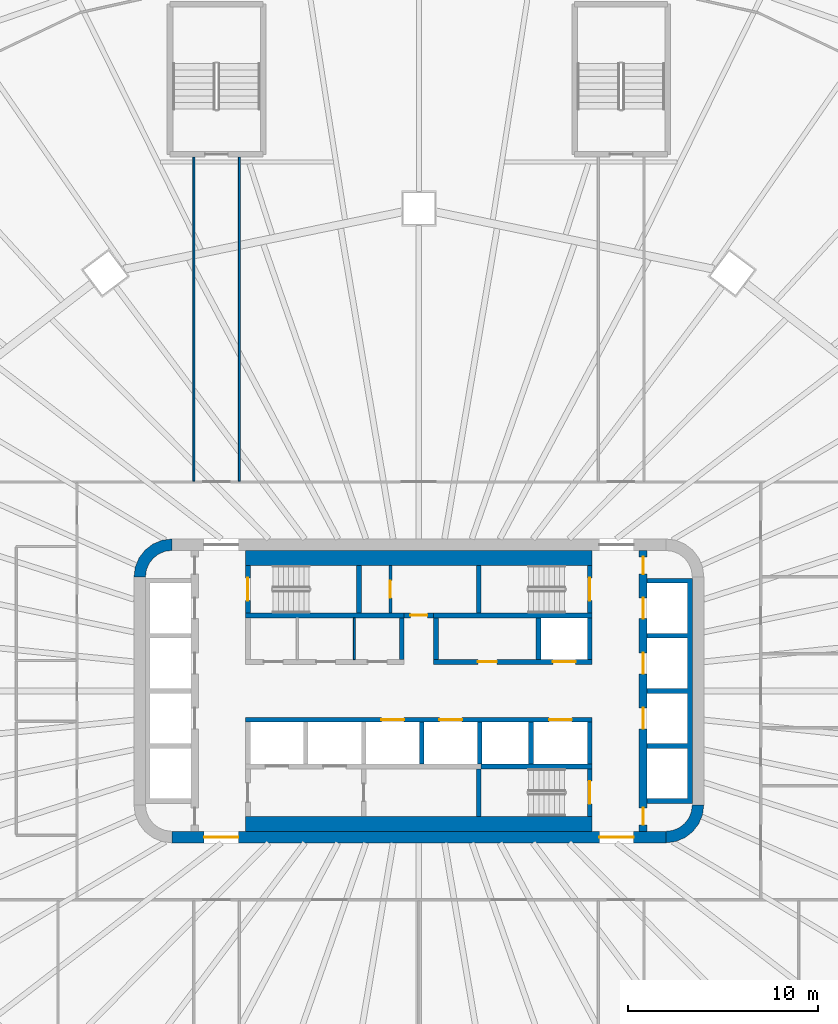
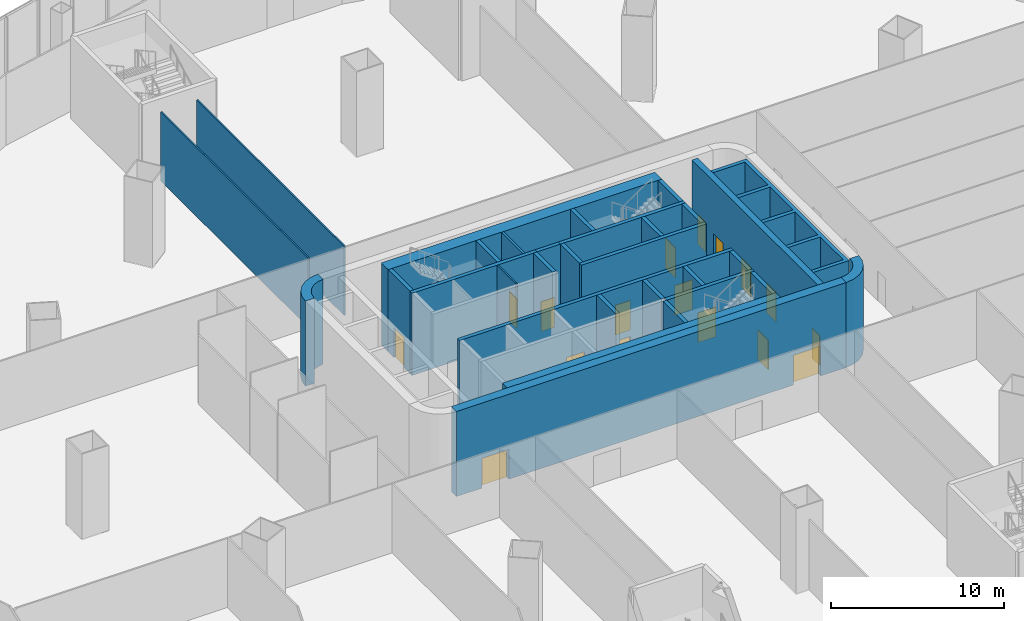
# One storey, part 23 of 37: 31 walls, 17 doors, 17 openings.
"""IFC4 building model written with IfcOpenShell, lengths in metres."""

from ifc_helpers import new_model, si_unit, direction, frame, frame_2d, origin, place, context, subcontext, project, spatial, polyline, rectangle, outline, extrude, material, layer, layer_set, type_object, element, fill, save


model = new_model("IFC4")

# Units and contexts
model_context = context("Model", 3, precision=1e-05, world=origin(), true_north=direction((0.0, 1.0)))
body_context = subcontext(model_context, "Body", "Model", "MODEL_VIEW")
ifc_project = project(units=[si_unit("LENGTHUNIT", "METRE"), si_unit("AREAUNIT", "SQUARE_METRE"), si_unit("VOLUMEUNIT", "CUBIC_METRE"), si_unit("PLANEANGLEUNIT", "RADIAN"), si_unit("MASSUNIT", "GRAM", prefix="KILO")], contexts=[model_context])

# Site, building, storey
site_placement = place(None, origin())
site = spatial("IfcSite", under=ifc_project, at=site_placement, CompositionType="ELEMENT")
building_placement = place(site_placement, origin())
building = spatial("IfcBuilding", under=site, at=building_placement, Name="Sahrelin Media Tower", CompositionType="ELEMENT")
storey_placement = place(building_placement, frame((0.0, 0.0, 31.39990234375)))
storey = spatial("IfcBuildingStorey", under=building, at=storey_placement, Name="L04", CompositionType="ELEMENT", Elevation=31.39990234375)

# Wall, openings, doors
ifc_material_1 = material(Name="Concrete C60/75", Category="concrete")
ifc_layer_1 = layer(ifc_material_1, 0.60009765625)
ifc_layer_set_1 = layer_set([ifc_layer_1], Name="Core wall 600")
wall_type_1 = type_object("IfcWallType", Name="Core wall 600", PredefinedType="SHEAR", material=ifc_layer_set_1)
wall_1_placement = place(storey_placement, frame((-13.0, -7.699951171875, 0.0), z_axis=(0.0, 0.0, 1.0), x_axis=(1.0, 0.0, 0.0)))
wall_1 = element("IfcWall", 1, at=wall_1_placement, inside=storey, type_object=wall_type_1, Name="Core wall S L04", PredefinedType="SHEAR", context=body_context, shape_type="SweptSolid", body=[
    extrude(rectangle(XDim=26.0, YDim=0.60009765625, at=frame_2d((13.0, 0.0))), origin(), (0.0, 0.0, 1.0), 6.0),
])
opening_1_placement = place(wall_1_placement, frame((1.699951171875, 0.0, 0.0)))
opening_1 = element("IfcOpeningElement", 2, at=opening_1_placement, cuts=wall_1, Name="Opening L04-D18", PredefinedType="OPENING", context=body_context, shape_type="SweptSolid", body=[
    extrude(rectangle(XDim=1.800048828125, YDim=2.10009765625, at=frame_2d((0.89990234375, 1.050048828125))), frame((0.0, 0.300048828125, 0.0), z_axis=(0.0, -1.0, 0.0), x_axis=(1.0, 0.0, 0.0)), (0.0, 0.0, 1.0), 0.60009765625),
])
opening_2_placement = place(wall_1_placement, frame((22.5, 0.0, 0.0)))
opening_2 = element("IfcOpeningElement", 3, at=opening_2_placement, cuts=wall_1, Name="Opening L04-D19", PredefinedType="OPENING", context=body_context, shape_type="SweptSolid", body=[
    extrude(rectangle(XDim=1.800048828125, YDim=2.10009765625, at=frame_2d((0.89990234375, 1.050048828125))), frame((0.0, 0.300048828125, 0.0), z_axis=(0.0, -1.0, 0.0), x_axis=(1.0, 0.0, 0.0)), (0.0, 0.0, 1.0), 0.60009765625),
])
ifc_material_2 = material(Name="Steel fire door leaf", Category="steel")
door_type_1 = type_object("IfcDoorType", Name="Lobby double door 1800 x 2100 EI 60", OperationType="DOUBLE_DOOR_SINGLE_SWING", PredefinedType="DOOR", material=ifc_material_2)
door_1_placement = place(opening_1_placement, origin())
door_1 = element("IfcDoor", 4, at=door_1_placement, inside=storey, type_object=door_type_1, Name="Lobby door", OperationType="DOUBLE_DOOR_SINGLE_SWING", OverallHeight=2.10009765625, OverallWidth=1.800048828125, PredefinedType="DOOR", context=body_context, shape_type="SweptSolid", body=[
    extrude(rectangle(XDim=1.800048828125, YDim=2.10009765625, at=frame_2d((0.89990234375, 1.050048828125))), frame((0.0, 0.02490234375, 0.0), z_axis=(0.0, -1.0, 0.0), x_axis=(1.0, 0.0, 0.0)), (0.0, 0.0, 1.0), 0.050048828125),
])
fill(opening_1, door_1)
door_2_placement = place(opening_2_placement, origin())
door_2 = element("IfcDoor", 5, at=door_2_placement, inside=storey, type_object=door_type_1, Name="Lobby door", OperationType="DOUBLE_DOOR_SINGLE_SWING", OverallHeight=2.10009765625, OverallWidth=1.800048828125, PredefinedType="DOOR", context=body_context, shape_type="SweptSolid", body=[
    extrude(rectangle(XDim=1.800048828125, YDim=2.10009765625, at=frame_2d((0.89990234375, 1.050048828125))), frame((0.0, 0.02490234375, 0.0), z_axis=(0.0, -1.0, 0.0), x_axis=(1.0, 0.0, 0.0)), (0.0, 0.0, 1.0), 0.050048828125),
])
fill(opening_2, door_2)

# Walls
placement = place(storey_placement, origin())
element("IfcWall", 6, at=placement, inside=storey, type_object=wall_type_1, Name="Core wall corner NW L04", PredefinedType="SHEAR", context=body_context, shape_type="SweptSolid", body=[
    extrude(outline(polyline([(-15.0, 6.0), (-14.394775390625, 6.0), (-14.347412109375, 6.361083984375), (-14.2080078125, 6.697509765625), (-13.986328125, 6.986328125), (-13.697509765625, 7.2080078125), (-13.361083984375, 7.347412109375), (-13.0, 7.394775390625), (-13.0, 8.0), (-13.517578125, 7.931884765625), (-14.0, 7.732177734375), (-14.414306640625, 7.414306640625), (-14.732177734375, 7.0), (-14.931884765625, 6.517578125), (-15.0, 6.0)])), origin(), (0.0, 0.0, 1.0), 6.0),
])
element("IfcWall", 7, at=placement, inside=storey, type_object=wall_type_1, Name="Core wall corner SE L04", PredefinedType="SHEAR", context=body_context, shape_type="SweptSolid", body=[
    extrude(outline(polyline([(15.0, -6.0), (14.394775390625, -6.0), (14.347412109375, -6.361083984375), (14.2080078125, -6.697509765625), (13.986328125, -6.986328125), (13.697509765625, -7.2080078125), (13.361083984375, -7.347412109375), (13.0, -7.394775390625), (13.0, -8.0), (13.517578125, -7.931884765625), (14.0, -7.732177734375), (14.414306640625, -7.414306640625), (14.732177734375, -7.0), (14.931884765625, -6.517578125), (15.0, -6.0)])), origin(), (0.0, 0.0, 1.0), 6.0),
])

# Wall, opening, door
ifc_material_3 = material(Name="Fire-rated gypsum board partition")
ifc_layer_2 = layer(ifc_material_3, 0.25)
ifc_layer_set_2 = layer_set([ifc_layer_2], Name="Fire-rated lobby wall 250")
wall_type_2 = type_object("IfcWallType", Name="Fire-rated lobby wall 250", PredefinedType="PARTITIONING", material=ifc_layer_set_2)
wall_4_placement = place(storey_placement, frame((-0.77490234375, 3.97509765625, 0.0), z_axis=(0.0, 0.0, 1.0), x_axis=(1.0, 0.0, 0.0)))
wall_4 = element("IfcWall", 8, at=wall_4_placement, inside=storey, type_object=wall_type_2, Name="Core lobby wall", PredefinedType="PARTITIONING", context=body_context, shape_type="SweptSolid", body=[
    extrude(rectangle(XDim=1.5498046875, YDim=0.25, at=frame_2d((0.77490234375, 0.0))), origin(), (0.0, 0.0, 1.0), 5.800048828125),
])
opening_3_placement = place(wall_4_placement, frame((0.324951171875, 0.0, 0.0)))
opening_3 = element("IfcOpeningElement", 9, at=opening_3_placement, cuts=wall_4, Name="Opening L04-D06", PredefinedType="OPENING", context=body_context, shape_type="SweptSolid", body=[
    extrude(rectangle(XDim=0.89990234375, YDim=2.10009765625, at=frame_2d((0.449951171875, 1.050048828125))), frame((0.0, 0.125, 0.0), z_axis=(0.0, -1.0, 0.0), x_axis=(1.0, 0.0, 0.0)), (0.0, 0.0, 1.0), 0.25),
])
door_type_2 = type_object("IfcDoorType", Name="Riser door 900 x 2100 EI 120", OperationType="NOTDEFINED", PredefinedType="DOOR", material=ifc_material_2)
door_3_placement = place(opening_3_placement, origin())
door_3 = element("IfcDoor", 10, at=door_3_placement, inside=storey, type_object=door_type_2, Name="Core room door", OperationType="SINGLE_SWING_LEFT", OverallHeight=2.10009765625, OverallWidth=0.89990234375, PredefinedType="DOOR", context=body_context, shape_type="SweptSolid", body=[
    extrude(rectangle(XDim=0.89990234375, YDim=2.10009765625, at=frame_2d((0.449951171875, 1.050048828125))), frame((0.0, 0.02490234375, 0.0), z_axis=(0.0, -1.0, 0.0), x_axis=(1.0, 0.0, 0.0)), (0.0, 0.0, 1.0), 0.050048828125),
])
fill(opening_3, door_3)

# Walls
for number, where, z_axis, x_axis, name in (
    (11, (-0.89990234375, 1.64990234375, 0.0), (0.0, 0.0, 1.0), (0.0, 1.0, 0.0), "Core lobby wall"),
    (12, (9.0, 1.64990234375, 0.0), (0.0, 0.0, 1.0), (0.0, 1.0, 0.0), "Core lobby wall"),
    (13, (0.89990234375, 1.64990234375, 0.0), (0.0, 0.0, 1.0), (0.0, 1.0, 0.0), "Core lobby wall"),
):
    element("IfcWall", number, at=place(storey_placement, frame(where, z_axis=z_axis, x_axis=x_axis)), inside=storey, type_object=wall_type_2, Name=name, PredefinedType="PARTITIONING", context=body_context, shape_type="SweptSolid", body=[
        extrude(rectangle(XDim=2.2001953125, YDim=0.25, at=frame_2d((1.10009765625, 0.0))), origin(), (0.0, 0.0, 1.0), 5.800048828125),
    ])
ifc_layer_3 = layer(ifc_material_3, 0.10009765625)
ifc_layer_set_3 = layer_set([ifc_layer_3], Name="Fire-rated partition 100")
wall_type_3 = type_object("IfcWallType", Name="Fire-rated partition 100", PredefinedType="PARTITIONING", material=ifc_layer_set_3)
wall_5_placement = place(storey_placement, frame((-3.39990234375, 1.64990234375, 0.0), z_axis=(0.0, 0.0, 1.0), x_axis=(0.0, 1.0, 0.0)))
element("IfcWall", 14, at=wall_5_placement, inside=storey, type_object=wall_type_3, Name="Core room partition", PredefinedType="PARTITIONING", context=body_context, shape_type="SweptSolid", body=[
    extrude(rectangle(XDim=2.2001953125, YDim=0.10009765625, at=frame_2d((1.10009765625, 0.0))), origin(), (0.0, 0.0, 1.0), 5.800048828125),
])

# Wall, opening, door
ifc_layer_4 = layer(ifc_material_3, 0.14990234375)
ifc_layer_set_4 = layer_set([ifc_layer_4], Name="Fire-rated partition 150")
wall_type_4 = type_object("IfcWallType", Name="Fire-rated partition 150", PredefinedType="PARTITIONING", material=ifc_layer_set_4)
wall_6_placement = place(storey_placement, frame((-1.5, 4.10009765625, 0.0), z_axis=(0.0, 0.0, 1.0), x_axis=(0.0, 1.0, 0.0)))
wall_6 = element("IfcWall", 15, at=wall_6_placement, inside=storey, type_object=wall_type_4, Name="Core room fire partition", PredefinedType="PARTITIONING", context=body_context, shape_type="SweptSolid", body=[
    extrude(rectangle(XDim=2.5, YDim=0.14990234375, at=frame_2d((1.25, 0.0))), origin(), (0.0, 0.0, 1.0), 5.800048828125),
])
opening_4_placement = place(wall_6_placement, frame((0.800048828125, 0.0, 0.0)))
opening_4 = element("IfcOpeningElement", 16, at=opening_4_placement, cuts=wall_6, Name="Opening L04-D07", PredefinedType="OPENING", context=body_context, shape_type="SweptSolid", body=[
    extrude(rectangle(XDim=0.89990234375, YDim=2.10009765625, at=frame_2d((0.449951171875, 1.050048828125))), frame((0.0, 0.074951171875, 0.0), z_axis=(0.0, -1.0, 0.0), x_axis=(1.0, 0.0, 0.0)), (0.0, 0.0, 1.0), 0.14990234375),
])
door_type_3 = type_object("IfcDoorType", Name="Fire door 900 x 2100 EI 60", OperationType="NOTDEFINED", PredefinedType="DOOR", material=ifc_material_2)
door_4_placement = place(opening_4_placement, origin())
door_4 = element("IfcDoor", 17, at=door_4_placement, inside=storey, type_object=door_type_3, Name="Core room door", OperationType="SINGLE_SWING_LEFT", OverallHeight=2.10009765625, OverallWidth=0.89990234375, PredefinedType="DOOR", context=body_context, shape_type="SweptSolid", body=[
    extrude(rectangle(XDim=0.89990234375, YDim=2.10009765625, at=frame_2d((0.449951171875, 1.050048828125))), frame((0.0, 0.02490234375, 0.0), z_axis=(0.0, -1.0, 0.0), x_axis=(1.0, 0.0, 0.0)), (0.0, 0.0, 1.0), 0.050048828125),
])
fill(opening_4, door_4)

# Wall, openings, doors
ifc_layer_5 = layer(ifc_material_1, 0.25)
ifc_layer_set_5 = layer_set([ifc_layer_5], Name="Lift shaft wall 250")
wall_type_5 = type_object("IfcWallType", Name="Lift shaft wall 250", PredefinedType="SOLIDWALL", material=ifc_layer_set_5)
wall_7_placement = place(storey_placement, frame((0.77490234375, 1.52490234375, 0.0), z_axis=(0.0, 0.0, 1.0), x_axis=(1.0, 0.0, 0.0)))
wall_7 = element("IfcWall", 18, at=wall_7_placement, inside=storey, type_object=wall_type_5, Name="Lift shaft wall", PredefinedType="SOLIDWALL", context=body_context, shape_type="SweptSolid", body=[
    extrude(rectangle(XDim=8.35009765625, YDim=0.25, at=frame_2d((4.175048828125, 0.0))), origin(), (0.0, 0.0, 1.0), 5.800048828125),
])
opening_5_placement = place(wall_7_placement, frame((6.27490234375, 0.0, 0.0)))
opening_5 = element("IfcOpeningElement", 19, at=opening_5_placement, cuts=wall_7, Name="Opening L04-LD-PR2", PredefinedType="OPENING", context=body_context, shape_type="SweptSolid", body=[
    extrude(rectangle(XDim=1.199951171875, YDim=2.10009765625, at=frame_2d((0.60009765625, 1.050048828125))), frame((0.0, 0.125, 0.0), z_axis=(0.0, -1.0, 0.0), x_axis=(1.0, 0.0, 0.0)), (0.0, 0.0, 1.0), 0.25),
])
opening_6_placement = place(wall_7_placement, frame((2.324951171875, 0.0, 0.0)))
opening_6 = element("IfcOpeningElement", 20, at=opening_6_placement, cuts=wall_7, Name="Opening L04-D11", PredefinedType="OPENING", context=body_context, shape_type="SweptSolid", body=[
    extrude(rectangle(XDim=1.0, YDim=2.10009765625, at=frame_2d((0.5, 1.050048828125))), frame((0.0, 0.125, 0.0), z_axis=(0.0, -1.0, 0.0), x_axis=(1.0, 0.0, 0.0)), (0.0, 0.0, 1.0), 0.25),
])
door_type_4 = type_object("IfcDoorType", Name="Fire door 1000 x 2100 EI 60", OperationType="NOTDEFINED", PredefinedType="DOOR", material=ifc_material_2)
door_5_placement = place(opening_6_placement, origin())
door_5 = element("IfcDoor", 21, at=door_5_placement, inside=storey, type_object=door_type_4, Name="Core room door", OperationType="SINGLE_SWING_LEFT", OverallHeight=2.10009765625, OverallWidth=1.0, PredefinedType="DOOR", context=body_context, shape_type="SweptSolid", body=[
    extrude(rectangle(XDim=1.0, YDim=2.10009765625, at=frame_2d((0.5, 1.050048828125))), frame((0.0, 0.02490234375, 0.0), z_axis=(0.0, -1.0, 0.0), x_axis=(1.0, 0.0, 0.0)), (0.0, 0.0, 1.0), 0.050048828125),
])
fill(opening_6, door_5)
ifc_material_4 = material(Name="Stainless steel", Category="steel")
door_type_5 = type_object("IfcDoorType", Name="Lift landing door 1200 x 2100 EI 120", OperationType="DOUBLE_DOOR_SLIDING", PredefinedType="DOOR", material=ifc_material_4)
door_6_placement = place(opening_5_placement, origin())
door_6 = element("IfcDoor", 22, at=door_6_placement, inside=storey, type_object=door_type_5, Name="Lift landing door PR2", OperationType="DOUBLE_DOOR_SLIDING", OverallHeight=2.10009765625, OverallWidth=1.199951171875, PredefinedType="DOOR", context=body_context, shape_type="SweptSolid", body=[
    extrude(rectangle(XDim=1.199951171875, YDim=2.10009765625, at=frame_2d((0.60009765625, 1.050048828125))), frame((0.0, 0.02490234375, 0.0), z_axis=(0.0, -1.0, 0.0), x_axis=(1.0, 0.0, 0.0)), (0.0, 0.0, 1.0), 0.050048828125),
])
fill(opening_5, door_6)

# Wall
wall_8_placement = place(storey_placement, frame((6.300048828125, 1.64990234375, 0.0), z_axis=(0.0, 0.0, 1.0), x_axis=(0.0, 1.0, 0.0)))
element("IfcWall", 23, at=wall_8_placement, inside=storey, type_object=wall_type_5, Name="Lift shaft wall", PredefinedType="SOLIDWALL", context=body_context, shape_type="SweptSolid", body=[
    extrude(rectangle(XDim=2.2001953125, YDim=0.25, at=frame_2d((1.10009765625, 0.0))), origin(), (0.0, 0.0, 1.0), 5.800048828125),
])

# Wall, openings, doors
wall_9_placement = place(storey_placement, frame((-9.125, -1.52490234375, 0.0), z_axis=(0.0, 0.0, 1.0), x_axis=(1.0, 0.0, 0.0)))
wall_9 = element("IfcWall", 24, at=wall_9_placement, inside=storey, type_object=wall_type_5, Name="Lift shaft wall", PredefinedType="SOLIDWALL", context=body_context, shape_type="SweptSolid", body=[
    extrude(rectangle(XDim=18.25, YDim=0.25, at=frame_2d((9.125, 0.0))), origin(), (0.0, 0.0, 1.0), 5.800048828125),
])
opening_7_placement = place(wall_9_placement, frame((7.14990234375, 0.0, 0.0)))
opening_7 = element("IfcOpeningElement", 25, at=opening_7_placement, cuts=wall_9, Name="Opening L04-LD-SV1", PredefinedType="OPENING", context=body_context, shape_type="SweptSolid", body=[
    extrude(rectangle(XDim=1.199951171875, YDim=2.10009765625, at=frame_2d((0.60009765625, 1.050048828125))), frame((0.0, 0.125, 0.0), z_axis=(0.0, -1.0, 0.0), x_axis=(1.0, 0.0, 0.0)), (0.0, 0.0, 1.0), 0.25),
])
opening_8_placement = place(wall_9_placement, frame((10.199951171875, 0.0, 0.0)))
opening_8 = element("IfcOpeningElement", 26, at=opening_8_placement, cuts=wall_9, Name="Opening L04-LD-SV2", PredefinedType="OPENING", context=body_context, shape_type="SweptSolid", body=[
    extrude(rectangle(XDim=1.199951171875, YDim=2.10009765625, at=frame_2d((0.60009765625, 1.050048828125))), frame((0.0, 0.125, 0.0), z_axis=(0.0, -1.0, 0.0), x_axis=(1.0, 0.0, 0.0)), (0.0, 0.0, 1.0), 0.25),
])
opening_9_placement = place(wall_9_placement, frame((15.97509765625, 0.0, 0.0)))
opening_9 = element("IfcOpeningElement", 27, at=opening_9_placement, cuts=wall_9, Name="Opening L04-LD-PR1", PredefinedType="OPENING", context=body_context, shape_type="SweptSolid", body=[
    extrude(rectangle(XDim=1.199951171875, YDim=2.10009765625, at=frame_2d((0.60009765625, 1.050048828125))), frame((0.0, 0.125, 0.0), z_axis=(0.0, -1.0, 0.0), x_axis=(1.0, 0.0, 0.0)), (0.0, 0.0, 1.0), 0.25),
])
door_7_placement = place(opening_7_placement, origin())
door_7 = element("IfcDoor", 28, at=door_7_placement, inside=storey, type_object=door_type_5, Name="Lift landing door SV1", OperationType="DOUBLE_DOOR_SLIDING", OverallHeight=2.10009765625, OverallWidth=1.199951171875, PredefinedType="DOOR", context=body_context, shape_type="SweptSolid", body=[
    extrude(rectangle(XDim=1.199951171875, YDim=2.10009765625, at=frame_2d((0.60009765625, 1.050048828125))), frame((0.0, 0.02490234375, 0.0), z_axis=(0.0, -1.0, 0.0), x_axis=(1.0, 0.0, 0.0)), (0.0, 0.0, 1.0), 0.050048828125),
])
fill(opening_7, door_7)
door_8_placement = place(opening_8_placement, origin())
door_8 = element("IfcDoor", 29, at=door_8_placement, inside=storey, type_object=door_type_5, Name="Lift landing door SV2", OperationType="DOUBLE_DOOR_SLIDING", OverallHeight=2.10009765625, OverallWidth=1.199951171875, PredefinedType="DOOR", context=body_context, shape_type="SweptSolid", body=[
    extrude(rectangle(XDim=1.199951171875, YDim=2.10009765625, at=frame_2d((0.60009765625, 1.050048828125))), frame((0.0, 0.02490234375, 0.0), z_axis=(0.0, -1.0, 0.0), x_axis=(1.0, 0.0, 0.0)), (0.0, 0.0, 1.0), 0.050048828125),
])
fill(opening_8, door_8)
door_9_placement = place(opening_9_placement, origin())
door_9 = element("IfcDoor", 30, at=door_9_placement, inside=storey, type_object=door_type_5, Name="Lift landing door PR1", OperationType="DOUBLE_DOOR_SLIDING", OverallHeight=2.10009765625, OverallWidth=1.199951171875, PredefinedType="DOOR", context=body_context, shape_type="SweptSolid", body=[
    extrude(rectangle(XDim=1.199951171875, YDim=2.10009765625, at=frame_2d((0.60009765625, 1.050048828125))), frame((0.0, 0.02490234375, 0.0), z_axis=(0.0, -1.0, 0.0), x_axis=(1.0, 0.0, 0.0)), (0.0, 0.0, 1.0), 0.050048828125),
])
fill(opening_9, door_9)

# Walls
wall_10_placement = place(storey_placement, frame((3.27490234375, -3.97509765625, 0.0), z_axis=(0.0, 0.0, 1.0), x_axis=(1.0, 0.0, 0.0)))
element("IfcWall", 31, at=wall_10_placement, inside=storey, type_object=wall_type_5, Name="Lift shaft wall", PredefinedType="SOLIDWALL", context=body_context, shape_type="SweptSolid", body=[
    extrude(rectangle(XDim=5.85009765625, YDim=0.25, at=frame_2d((2.925048828125, 0.0))), origin(), (0.0, 0.0, 1.0), 5.800048828125),
])
for number, where, z_axis, x_axis, name in (
    (32, (0.14990234375, -3.85009765625, 0.0), (0.0, 0.0, 1.0), (0.0, 1.0, 0.0), "Lift shaft wall"),
    (33, (3.199951171875, -3.85009765625, 0.0), (0.0, 0.0, 1.0), (0.0, 1.0, 0.0), "Lift shaft wall"),
    (34, (5.89990234375, -3.85009765625, 0.0), (0.0, 0.0, 1.0), (0.0, 1.0, 0.0), "Lift shaft wall"),
    (35, (9.0, -3.85009765625, 0.0), (0.0, 0.0, 1.0), (0.0, 1.0, 0.0), "Lift shaft wall"),
):
    element("IfcWall", number, at=place(storey_placement, frame(where, z_axis=z_axis, x_axis=x_axis)), inside=storey, type_object=wall_type_5, Name=name, PredefinedType="SOLIDWALL", context=body_context, shape_type="SweptSolid", body=[
        extrude(rectangle(XDim=2.2001953125, YDim=0.25, at=frame_2d((1.10009765625, 0.0))), origin(), (0.0, 0.0, 1.0), 5.800048828125),
    ])
element("IfcWall", 36, at=placement, inside=storey, type_object=wall_type_5, Name="Lift shaft wall", PredefinedType="SOLIDWALL", context=body_context, shape_type="SweptSolid", body=[
    extrude(outline(polyline([(12.0, -5.675048828125), (12.0, -5.925048828125), (14.14990234375, -5.925048828125), (14.39990234375, -5.925048828125), (14.39990234375, -5.675048828125), (14.39990234375, -3.02490234375), (14.39990234375, -2.77490234375), (14.39990234375, -0.125), (14.39990234375, 0.125), (14.39990234375, 2.77490234375), (14.39990234375, 3.02490234375), (14.39990234375, 5.675048828125), (14.39990234375, 5.925048828125), (14.14990234375, 5.925048828125), (12.0, 5.925048828125), (12.0, 5.675048828125), (14.14990234375, 5.675048828125), (14.14990234375, 3.02490234375), (12.0, 3.02490234375), (12.0, 2.77490234375), (14.14990234375, 2.77490234375), (14.14990234375, 0.125), (12.0, 0.125), (12.0, -0.125), (14.14990234375, -0.125), (14.14990234375, -2.77490234375), (12.0, -2.77490234375), (12.0, -3.02490234375), (14.14990234375, -3.02490234375), (14.14990234375, -5.675048828125), (12.0, -5.675048828125)])), origin(), (0.0, 0.0, 1.0), 5.800048828125),
])

# Wall, openings, doors
ifc_layer_6 = layer(ifc_material_1, 0.39990234375)
ifc_layer_set_6 = layer_set([ifc_layer_6], Name="Lift shaft wall 400")
wall_type_6 = type_object("IfcWallType", Name="Lift shaft wall 400", PredefinedType="SOLIDWALL", material=ifc_layer_set_6)
wall_12_placement = place(storey_placement, frame((11.800048828125, -7.39990234375, 0.0), z_axis=(0.0, 0.0, 1.0), x_axis=(0.0, 1.0, 0.0)))
wall_12 = element("IfcWall", 37, at=wall_12_placement, inside=storey, type_object=wall_type_6, Name="Lift shaft wall", PredefinedType="SOLIDWALL", context=body_context, shape_type="SweptSolid", body=[
    extrude(rectangle(XDim=14.7998046875, YDim=0.39990234375, at=frame_2d((7.39990234375, 0.0))), origin(), (0.0, 0.0, 1.0), 5.800048828125),
])
opening_10_placement = place(wall_12_placement, frame((11.199951171875, 0.0, 0.0)))
opening_10 = element("IfcOpeningElement", 38, at=opening_10_placement, cuts=wall_12, Name="Opening L04-LD-LR4", PredefinedType="OPENING", context=body_context, shape_type="SweptSolid", body=[
    extrude(rectangle(XDim=1.10009765625, YDim=2.10009765625, at=frame_2d((0.550048828125, 1.050048828125))), frame((0.0, 0.199951171875, 0.0), z_axis=(0.0, -1.0, 0.0), x_axis=(1.0, 0.0, 0.0)), (0.0, 0.0, 1.0), 0.39990234375),
])
opening_11_placement = place(wall_12_placement, frame((8.300048828125, 0.0, 0.0)))
opening_11 = element("IfcOpeningElement", 39, at=opening_11_placement, cuts=wall_12, Name="Opening L04-LD-LR5", PredefinedType="OPENING", context=body_context, shape_type="SweptSolid", body=[
    extrude(rectangle(XDim=1.10009765625, YDim=2.10009765625, at=frame_2d((0.550048828125, 1.050048828125))), frame((0.0, 0.199951171875, 0.0), z_axis=(0.0, -1.0, 0.0), x_axis=(1.0, 0.0, 0.0)), (0.0, 0.0, 1.0), 0.39990234375),
])
opening_12_placement = place(wall_12_placement, frame((5.39990234375, 0.0, 0.0)))
opening_12 = element("IfcOpeningElement", 40, at=opening_12_placement, cuts=wall_12, Name="Opening L04-LD-LR6", PredefinedType="OPENING", context=body_context, shape_type="SweptSolid", body=[
    extrude(rectangle(XDim=1.10009765625, YDim=2.10009765625, at=frame_2d((0.550048828125, 1.050048828125))), frame((0.0, 0.199951171875, 0.0), z_axis=(0.0, -1.0, 0.0), x_axis=(1.0, 0.0, 0.0)), (0.0, 0.0, 1.0), 0.39990234375),
])
opening_13_placement = place(wall_12_placement, frame((13.552490234375, 0.0, 0.0)))
opening_13 = element("IfcOpeningElement", 41, at=opening_13_placement, cuts=wall_12, Name="Opening L04-D14", PredefinedType="OPENING", context=body_context, shape_type="SweptSolid", body=[
    extrude(rectangle(XDim=0.89990234375, YDim=2.10009765625, at=frame_2d((0.449951171875, 1.050048828125))), frame((0.0, 0.199951171875, 0.0), z_axis=(0.0, -1.0, 0.0), x_axis=(1.0, 0.0, 0.0)), (0.0, 0.0, 1.0), 0.39990234375),
])
opening_14_placement = place(wall_12_placement, frame((0.347412109375, 0.0, 0.0)))
opening_14 = element("IfcOpeningElement", 42, at=opening_14_placement, cuts=wall_12, Name="Opening L04-D15", PredefinedType="OPENING", context=body_context, shape_type="SweptSolid", body=[
    extrude(rectangle(XDim=0.89990234375, YDim=2.10009765625, at=frame_2d((0.449951171875, 1.050048828125))), frame((0.0, 0.199951171875, 0.0), z_axis=(0.0, -1.0, 0.0), x_axis=(1.0, 0.0, 0.0)), (0.0, 0.0, 1.0), 0.39990234375),
])
door_type_6 = type_object("IfcDoorType", Name="Lift landing door 1100 x 2100 EI 120", OperationType="DOUBLE_DOOR_SLIDING", PredefinedType="DOOR", material=ifc_material_4)
door_10_placement = place(opening_10_placement, origin())
door_10 = element("IfcDoor", 43, at=door_10_placement, inside=storey, type_object=door_type_6, Name="Lift landing door LR4", OperationType="DOUBLE_DOOR_SLIDING", OverallHeight=2.10009765625, OverallWidth=1.10009765625, PredefinedType="DOOR", context=body_context, shape_type="SweptSolid", body=[
    extrude(rectangle(XDim=1.10009765625, YDim=2.10009765625, at=frame_2d((0.550048828125, 1.050048828125))), frame((0.0, 0.02490234375, 0.0), z_axis=(0.0, -1.0, 0.0), x_axis=(1.0, 0.0, 0.0)), (0.0, 0.0, 1.0), 0.050048828125),
])
fill(opening_10, door_10)
door_11_placement = place(opening_11_placement, origin())
door_11 = element("IfcDoor", 44, at=door_11_placement, inside=storey, type_object=door_type_6, Name="Lift landing door LR5", OperationType="DOUBLE_DOOR_SLIDING", OverallHeight=2.10009765625, OverallWidth=1.10009765625, PredefinedType="DOOR", context=body_context, shape_type="SweptSolid", body=[
    extrude(rectangle(XDim=1.10009765625, YDim=2.10009765625, at=frame_2d((0.550048828125, 1.050048828125))), frame((0.0, 0.02490234375, 0.0), z_axis=(0.0, -1.0, 0.0), x_axis=(1.0, 0.0, 0.0)), (0.0, 0.0, 1.0), 0.050048828125),
])
fill(opening_11, door_11)
door_12_placement = place(opening_12_placement, origin())
door_12 = element("IfcDoor", 45, at=door_12_placement, inside=storey, type_object=door_type_6, Name="Lift landing door LR6", OperationType="DOUBLE_DOOR_SLIDING", OverallHeight=2.10009765625, OverallWidth=1.10009765625, PredefinedType="DOOR", context=body_context, shape_type="SweptSolid", body=[
    extrude(rectangle(XDim=1.10009765625, YDim=2.10009765625, at=frame_2d((0.550048828125, 1.050048828125))), frame((0.0, 0.02490234375, 0.0), z_axis=(0.0, -1.0, 0.0), x_axis=(1.0, 0.0, 0.0)), (0.0, 0.0, 1.0), 0.050048828125),
])
fill(opening_12, door_12)
door_13_placement = place(opening_13_placement, origin())
door_13 = element("IfcDoor", 46, at=door_13_placement, inside=storey, type_object=door_type_2, Name="Riser door", OperationType="SINGLE_SWING_RIGHT", OverallHeight=2.10009765625, OverallWidth=0.89990234375, PredefinedType="DOOR", context=body_context, shape_type="SweptSolid", body=[
    extrude(rectangle(XDim=0.89990234375, YDim=2.10009765625, at=frame_2d((0.449951171875, 1.050048828125))), frame((0.0, 0.02490234375, 0.0), z_axis=(0.0, -1.0, 0.0), x_axis=(1.0, 0.0, 0.0)), (0.0, 0.0, 1.0), 0.050048828125),
])
fill(opening_13, door_13)
door_14_placement = place(opening_14_placement, origin())
door_14 = element("IfcDoor", 47, at=door_14_placement, inside=storey, type_object=door_type_2, Name="Riser door", OperationType="SINGLE_SWING_RIGHT", OverallHeight=2.10009765625, OverallWidth=0.89990234375, PredefinedType="DOOR", context=body_context, shape_type="SweptSolid", body=[
    extrude(rectangle(XDim=0.89990234375, YDim=2.10009765625, at=frame_2d((0.449951171875, 1.050048828125))), frame((0.0, 0.02490234375, 0.0), z_axis=(0.0, -1.0, 0.0), x_axis=(1.0, 0.0, 0.0)), (0.0, 0.0, 1.0), 0.050048828125),
])
fill(opening_14, door_14)

# Walls
ifc_material_5 = material(Name="Gypsum board partition")
ifc_layer_7 = layer(ifc_material_5, 0.10009765625)
ifc_layer_set_7 = layer_set([ifc_layer_7], Name="Partition 100")
wall_type_7 = type_object("IfcWallType", Name="Partition 100", PredefinedType="PARTITIONING", material=ifc_layer_set_7)
for number, where, z_axis, x_axis, name in (
    (48, (-11.85009765625, 11.050048828125, 0.0), (0.0, 0.0, 1.0), (0.0, 1.0, 0.0), "Wall"),
    (49, (-9.449951171875, 11.050048828125, 0.0), (0.0, 0.0, 1.0), (0.0, 1.0, 0.0), "Wall"),
):
    element("IfcWall", number, at=place(storey_placement, frame(where, z_axis=z_axis, x_axis=x_axis)), inside=storey, type_object=wall_type_7, Name=name, PredefinedType="PARTITIONING", context=body_context, shape_type="SweptSolid", body=[
        extrude(rectangle(XDim=17.050048828125, YDim=0.10009765625, at=frame_2d((8.52490234375, 0.0))), origin(), (0.0, 0.0, 1.0), 4.868408203125),
    ])

# Wall, opening, door
ifc_layer_8 = layer(ifc_material_1, 0.25)
ifc_layer_set_8 = layer_set([ifc_layer_8], Name="Stair enclosure wall 250")
wall_type_8 = type_object("IfcWallType", Name="Stair enclosure wall 250", PredefinedType="SOLIDWALL", material=ifc_layer_set_8)
wall_13_placement = place(storey_placement, frame((-9.0, 4.10009765625, 0.0), z_axis=(0.0, 0.0, 1.0), x_axis=(0.0, 1.0, 0.0)))
wall_13 = element("IfcWall", 50, at=wall_13_placement, inside=storey, type_object=wall_type_8, Name="Stair enclosure wall", PredefinedType="SOLIDWALL", context=body_context, shape_type="SweptSolid", body=[
    extrude(rectangle(XDim=2.5, YDim=0.25, at=frame_2d((1.25, 0.0))), origin(), (0.0, 0.0, 1.0), 5.800048828125),
])
opening_15_placement = place(wall_13_placement, frame((0.64990234375, 0.0, 0.0)))
opening_15 = element("IfcOpeningElement", 51, at=opening_15_placement, cuts=wall_13, Name="Opening L04-D01", PredefinedType="OPENING", context=body_context, shape_type="SweptSolid", body=[
    extrude(rectangle(XDim=1.199951171875, YDim=2.10009765625, at=frame_2d((0.60009765625, 1.050048828125))), frame((0.0, 0.125, 0.0), z_axis=(0.0, -1.0, 0.0), x_axis=(1.0, 0.0, 0.0)), (0.0, 0.0, 1.0), 0.25),
])
door_type_7 = type_object("IfcDoorType", Name="Stair door 1200 x 2100 EI 120", OperationType="NOTDEFINED", PredefinedType="DOOR", material=ifc_material_2)
door_15_placement = place(opening_15_placement, origin())
door_15 = element("IfcDoor", 52, at=door_15_placement, inside=storey, type_object=door_type_7, Name="Stair door ST1", OperationType="SINGLE_SWING_RIGHT", OverallHeight=2.10009765625, OverallWidth=1.199951171875, PredefinedType="DOOR", context=body_context, shape_type="SweptSolid", body=[
    extrude(rectangle(XDim=1.199951171875, YDim=2.10009765625, at=frame_2d((0.60009765625, 1.050048828125))), frame((0.0, 0.02490234375, 0.0), z_axis=(0.0, -1.0, 0.0), x_axis=(1.0, 0.0, 0.0)), (0.0, 0.0, 1.0), 0.050048828125),
])
fill(opening_15, door_15)

wall_14_placement = place(storey_placement, frame((9.0, 4.10009765625, 0.0), z_axis=(0.0, 0.0, 1.0), x_axis=(0.0, 1.0, 0.0)))
wall_14 = element("IfcWall", 53, at=wall_14_placement, inside=storey, type_object=wall_type_8, Name="Stair enclosure wall", PredefinedType="SOLIDWALL", context=body_context, shape_type="SweptSolid", body=[
    extrude(rectangle(XDim=2.5, YDim=0.25, at=frame_2d((1.25, 0.0))), origin(), (0.0, 0.0, 1.0), 5.800048828125),
])
opening_16_placement = place(wall_14_placement, frame((0.64990234375, 0.0, 0.0)))
opening_16 = element("IfcOpeningElement", 54, at=opening_16_placement, cuts=wall_14, Name="Opening L04-D02", PredefinedType="OPENING", context=body_context, shape_type="SweptSolid", body=[
    extrude(rectangle(XDim=1.199951171875, YDim=2.10009765625, at=frame_2d((0.60009765625, 1.050048828125))), frame((0.0, 0.125, 0.0), z_axis=(0.0, -1.0, 0.0), x_axis=(1.0, 0.0, 0.0)), (0.0, 0.0, 1.0), 0.25),
])
door_16_placement = place(opening_16_placement, origin())
door_16 = element("IfcDoor", 55, at=door_16_placement, inside=storey, type_object=door_type_7, Name="Stair door ST3", OperationType="SINGLE_SWING_LEFT", OverallHeight=2.10009765625, OverallWidth=1.199951171875, PredefinedType="DOOR", context=body_context, shape_type="SweptSolid", body=[
    extrude(rectangle(XDim=1.199951171875, YDim=2.10009765625, at=frame_2d((0.60009765625, 1.050048828125))), frame((0.0, 0.02490234375, 0.0), z_axis=(0.0, -1.0, 0.0), x_axis=(1.0, 0.0, 0.0)), (0.0, 0.0, 1.0), 0.050048828125),
])
fill(opening_16, door_16)

wall_15_placement = place(storey_placement, frame((9.0, -6.60009765625, 0.0), z_axis=(0.0, 0.0, 1.0), x_axis=(0.0, 1.0, 0.0)))
wall_15 = element("IfcWall", 56, at=wall_15_placement, inside=storey, type_object=wall_type_8, Name="Stair enclosure wall", PredefinedType="SOLIDWALL", context=body_context, shape_type="SweptSolid", body=[
    extrude(rectangle(XDim=2.5, YDim=0.25, at=frame_2d((1.25, 0.0))), origin(), (0.0, 0.0, 1.0), 5.800048828125),
])
opening_17_placement = place(wall_15_placement, frame((0.64990234375, 0.0, 0.0)))
opening_17 = element("IfcOpeningElement", 57, at=opening_17_placement, cuts=wall_15, Name="Opening L04-D03", PredefinedType="OPENING", context=body_context, shape_type="SweptSolid", body=[
    extrude(rectangle(XDim=1.199951171875, YDim=2.10009765625, at=frame_2d((0.60009765625, 1.050048828125))), frame((0.0, 0.125, 0.0), z_axis=(0.0, -1.0, 0.0), x_axis=(1.0, 0.0, 0.0)), (0.0, 0.0, 1.0), 0.25),
])
door_17_placement = place(opening_17_placement, origin())
door_17 = element("IfcDoor", 58, at=door_17_placement, inside=storey, type_object=door_type_7, Name="Stair door ST2", OperationType="SINGLE_SWING_LEFT", OverallHeight=2.10009765625, OverallWidth=1.199951171875, PredefinedType="DOOR", context=body_context, shape_type="SweptSolid", body=[
    extrude(rectangle(XDim=1.199951171875, YDim=2.10009765625, at=frame_2d((0.60009765625, 1.050048828125))), frame((0.0, 0.02490234375, 0.0), z_axis=(0.0, -1.0, 0.0), x_axis=(1.0, 0.0, 0.0)), (0.0, 0.0, 1.0), 0.050048828125),
])
fill(opening_17, door_17)

# Walls
for number, where, z_axis, x_axis, name in (
    (59, (-3.14990234375, 4.10009765625, 0.0), (0.0, 0.0, 1.0), (0.0, 1.0, 0.0), "Stair enclosure wall"),
    (60, (3.14990234375, 4.10009765625, 0.0), (0.0, 0.0, 1.0), (0.0, 1.0, 0.0), "Stair enclosure wall"),
    (61, (3.14990234375, -6.60009765625, 0.0), (0.0, 0.0, 1.0), (0.0, 1.0, 0.0), "Stair enclosure wall"),
):
    element("IfcWall", number, at=place(storey_placement, frame(where, z_axis=z_axis, x_axis=x_axis)), inside=storey, type_object=wall_type_8, Name=name, PredefinedType="SOLIDWALL", context=body_context, shape_type="SweptSolid", body=[
        extrude(rectangle(XDim=2.5, YDim=0.25, at=frame_2d((1.25, 0.0))), origin(), (0.0, 0.0, 1.0), 5.800048828125),
    ])
for number, where, z_axis, x_axis, name in (
    (62, (-9.125, 3.97509765625, 0.0), (0.0, 0.0, 1.0), (1.0, 0.0, 0.0), "Stair enclosure wall"),
    (63, (0.77490234375, 3.97509765625, 0.0), (0.0, 0.0, 1.0), (1.0, 0.0, 0.0), "Stair enclosure wall"),
):
    element("IfcWall", number, at=place(storey_placement, frame(where, z_axis=z_axis, x_axis=x_axis)), inside=storey, type_object=wall_type_8, Name=name, PredefinedType="SOLIDWALL", context=body_context, shape_type="SweptSolid", body=[
        extrude(rectangle(XDim=8.35009765625, YDim=0.25, at=frame_2d((4.175048828125, 0.0))), origin(), (0.0, 0.0, 1.0), 5.800048828125),
    ])
ifc_layer_9 = layer(ifc_material_1, 0.800048828125)
ifc_layer_set_9 = layer_set([ifc_layer_9], Name="Stair enclosure wall 800")
wall_type_9 = type_object("IfcWallType", Name="Stair enclosure wall 800", PredefinedType="SOLIDWALL", material=ifc_layer_set_9)
for number, where, z_axis, x_axis, name in (
    (64, (-9.125, 7.0, 0.0), (0.0, 0.0, 1.0), (1.0, 0.0, 0.0), "Stair enclosure wall"),
    (65, (-9.125, -7.0, 0.0), (0.0, 0.0, 1.0), (1.0, 0.0, 0.0), "Stair enclosure wall"),
):
    element("IfcWall", number, at=place(storey_placement, frame(where, z_axis=z_axis, x_axis=x_axis)), inside=storey, type_object=wall_type_9, Name=name, PredefinedType="SOLIDWALL", context=body_context, shape_type="SweptSolid", body=[
        extrude(rectangle(XDim=18.25, YDim=0.800048828125, at=frame_2d((9.125, 0.0))), origin(), (0.0, 0.0, 1.0), 5.800048828125),
    ])

save(model, "model.ifc")
